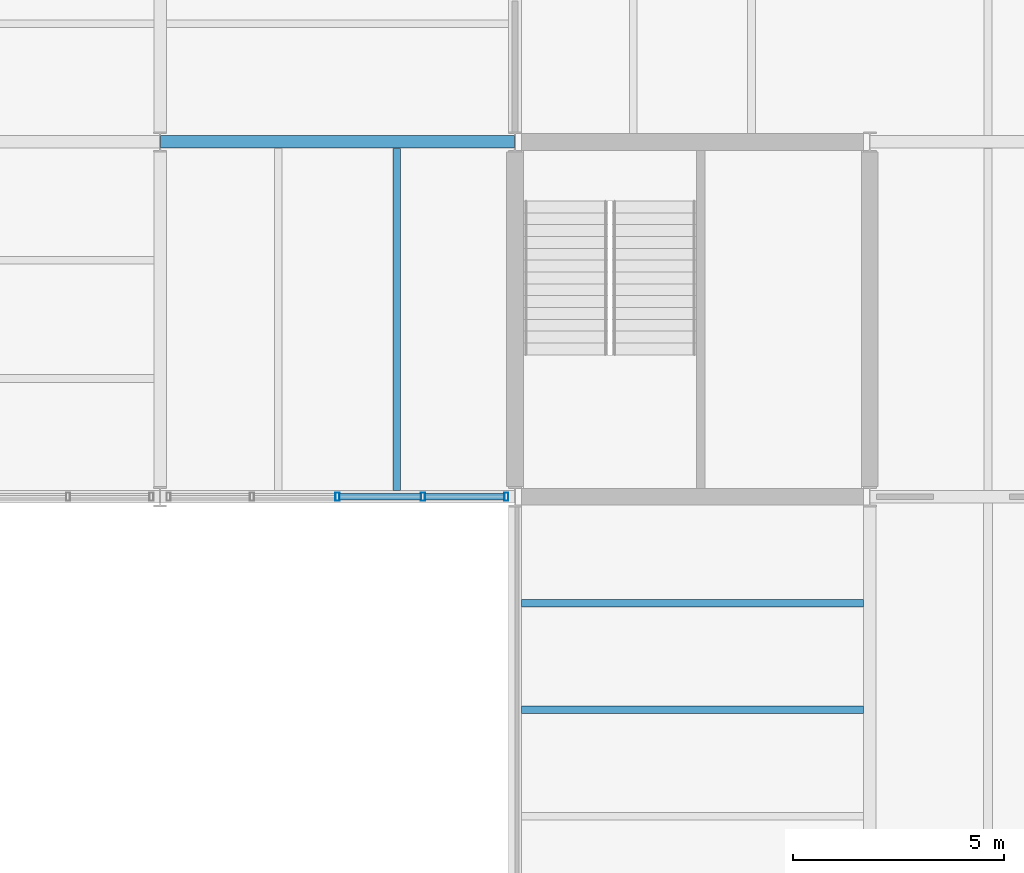
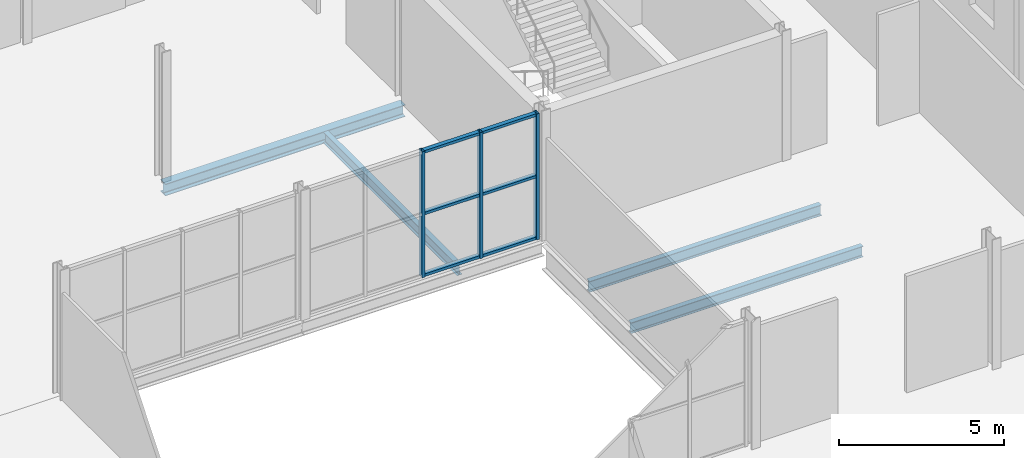
# One storey, part 24 of 57: 9 members, 4 beams, 1 element without a shape of its own.
"""IFC4 building model written with IfcOpenShell, lengths in metres."""

from ifc_helpers import new_model, si_unit, direction, frame, origin, origin_2d, place, context, subcontext, project, spatial, hollow_rectangle, i_section, extrude, material, layer, layer_set, material_profile, profile_set, type_object, element, aggregate, save


model = new_model("IFC4")

# Units and contexts
model_context = context("Model", 3, precision=1e-05, world=origin(), true_north=direction((0.0, 1.0)))
body_context = subcontext(model_context, "Body", "Model", "MODEL_VIEW")
ifc_project = project(units=[si_unit("LENGTHUNIT", "METRE"), si_unit("AREAUNIT", "SQUARE_METRE"), si_unit("VOLUMEUNIT", "CUBIC_METRE"), si_unit("PLANEANGLEUNIT", "RADIAN"), si_unit("MASSUNIT", "GRAM", prefix="KILO")], contexts=[model_context])

# Site, building, storey
site_placement = place(None, origin())
site = spatial("IfcSite", under=ifc_project, at=site_placement, CompositionType="ELEMENT")
building_placement = place(site_placement, origin())
building = spatial("IfcBuilding", under=site, at=building_placement, Name="Galleria Vessillo Department Store", CompositionType="ELEMENT")
storey_placement = place(building_placement, frame((0.0, 0.0, 21.0)))
storey = spatial("IfcBuildingStorey", under=building, at=storey_placement, Name="L04", CompositionType="ELEMENT", Elevation=21.0)

# Beams
ifc_material_1 = material(Name="Steel S355 J2", Category="steel")
ifc_material_profile_1 = material_profile(ifc_material_1, i_section(OverallWidth=0.300048828125, OverallDepth=0.43994140625, WebThickness=0.011474609375, FlangeThickness=0.02099609375, FilletRadius=0.027099609375, at=origin_2d()), Name="HEA 450")
ifc_profile_set_1 = profile_set([ifc_material_profile_1], Name="Steel S355 J2")
beam_type_1 = type_object("IfcBeamType", Name="Floor girder HEA 450", PredefinedType="BEAM", material=ifc_profile_set_1)
beam_placement = place(storey_placement, frame((92.41064453125, 46.199951171875, -0.369873046875), z_axis=(1.0, 0.0, 0.0), x_axis=(0.0, 1.0, 0.0)))
element("IfcBeam", 1, at=beam_placement, inside=storey, type_object=beam_type_1, Name="S-BM-L04-GI-x46200-92411", PredefinedType="BEAM", context=body_context, shape_type="SweptSolid", body=[
    extrude(i_section(OverallWidth=0.300048828125, OverallDepth=0.43994140625, WebThickness=0.011474609375, FlangeThickness=0.02099609375, FilletRadius=0.027099609375, at=origin_2d()), origin(), (0.0, 0.0, 1.0), 8.378662109375),
])
ifc_material_2 = material(Name="Steel S355 J2", Category="steel")
ifc_material_profile_2 = material_profile(ifc_material_2, i_section(OverallWidth=0.179931640625, OverallDepth=0.39990234375, WebThickness=0.008544921875, FlangeThickness=0.013427734375, FilletRadius=0.02099609375, at=origin_2d()), Name="IPE 400")
ifc_profile_set_2 = profile_set([ifc_material_profile_2], Name="Steel S355 J2")
beam_type_2 = type_object("IfcBeamType", Name="Floor joist IPE 400", PredefinedType="JOIST", material=ifc_profile_set_2)
for number, where, z_axis, x_axis, name in (
    (2, (98.0, 37.9501953125, -0.349853515625), (0.0, 1.0, 0.0), (-1.0, 0.0, 0.0), "S-BM-L04-JO-y98000-37950"),
    (3, (100.9501953125, 32.760009765625, -0.349853515625), (1.0, 0.0, 0.0), (0.0, 1.0, 0.0), "S-BM-L04-JO-x32760-100950"),
    (4, (100.9501953125, 35.280029296875, -0.349853515625), (1.0, 0.0, 0.0), (0.0, 1.0, 0.0), "S-BM-L04-JO-x35280-100950"),
):
    element("IfcBeam", number, at=place(storey_placement, frame(where, z_axis=z_axis, x_axis=x_axis)), inside=storey, type_object=beam_type_2, Name=name, PredefinedType="JOIST", context=body_context, shape_type="SweptSolid", body=[
        extrude(i_section(OverallWidth=0.179931640625, OverallDepth=0.39990234375, WebThickness=0.008544921875, FlangeThickness=0.013427734375, FilletRadius=0.02099609375, at=origin_2d()), origin(), (0.0, 0.0, 1.0), 8.099609375),
    ])

# Curtain wall, members
ifc_material_3 = material(Name="Steel and fire-resisting glass curtain wall", Category="steel")
ifc_layer = layer(ifc_material_3, 0.199951171875)
ifc_layer_set = layer_set([ifc_layer], Name="Steel and fire-resisting glass curtain wall")
curtain_wall_type = type_object("IfcCurtainWallType", Name="Arcade fire-resisting glazed shopfront EI 120-Sa", PredefinedType="NOTDEFINED", material=ifc_layer_set)
curtain_wall_placement = place(storey_placement, origin())
curtain_wall = element("IfcCurtainWall", 5, at=curtain_wall_placement, inside=storey, type_object=curtain_wall_type, Name="Arcade fire-resisting glazed shopfront EI 120-Sa AI-AE-N-L04-02", PredefinedType="NOTDEFINED")
ifc_material_4 = material(Name="Steel S355 J2", Category="steel")
ifc_material_profile_3 = material_profile(ifc_material_4, hollow_rectangle(XDim=0.199951171875, YDim=0.10009765625, WallThickness=0.008056640625, at=origin_2d()), Name="RHS 200x100x8")
ifc_profile_set_3 = profile_set([ifc_material_profile_3], Name="Steel S355 J2")
member_type_1 = type_object("IfcMemberType", Name="Steel mullion RHS 200x100x8", PredefinedType="MULLION", material=ifc_profile_set_3)
member_1_placement = place(storey_placement, frame((96.60009765625, 37.800048828125, 0.0), z_axis=(0.0, 0.0, 1.0), x_axis=(0.0, 1.0, 0.0)))
member_1 = element("IfcMember", 6, at=member_1_placement, type_object=member_type_1, Name="CW7 mullion 3", PredefinedType="MULLION", context=body_context, shape_type="SweptSolid", body=[
    extrude(hollow_rectangle(XDim=0.199951171875, YDim=0.10009765625, WallThickness=0.008056640625, at=origin_2d()), origin(), (0.0, 0.0, 1.0), 4.650146484375),
])
member_2_placement = place(storey_placement, frame((98.623291015625, 37.800048828125, 0.0), z_axis=(0.0, 0.0, 1.0), x_axis=(0.0, 1.0, 0.0)))
member_2 = element("IfcMember", 7, at=member_2_placement, type_object=member_type_1, Name="CW7 mullion 4", PredefinedType="MULLION", context=body_context, shape_type="SweptSolid", body=[
    extrude(hollow_rectangle(XDim=0.199951171875, YDim=0.10009765625, WallThickness=0.008056640625, at=origin_2d()), origin(), (0.0, 0.0, 1.0), 4.650146484375),
])
member_3_placement = place(storey_placement, frame((100.596435546875, 37.800048828125, 0.0), z_axis=(0.0, 0.0, 1.0), x_axis=(0.0, 1.0, 0.0)))
member_3 = element("IfcMember", 8, at=member_3_placement, type_object=member_type_1, Name="CW7 mullion 5", PredefinedType="MULLION", context=body_context, shape_type="SweptSolid", body=[
    extrude(hollow_rectangle(XDim=0.199951171875, YDim=0.10009765625, WallThickness=0.008056640625, at=origin_2d()), origin(), (0.0, 0.0, 1.0), 4.650146484375),
])
ifc_material_5 = material(Name="Steel S355 J2", Category="steel")
ifc_material_profile_4 = material_profile(ifc_material_5, hollow_rectangle(XDim=0.14990234375, YDim=0.10009765625, WallThickness=0.008056640625, at=origin_2d()), Name="RHS 150x100x8")
ifc_profile_set_4 = profile_set([ifc_material_profile_4], Name="Steel S355 J2")
member_type_2 = type_object("IfcMemberType", Name="Steel transom RHS 150x100x8", PredefinedType="USERDEFINED", material=ifc_profile_set_4)
member_4_placement = place(storey_placement, frame((96.64990234375, 37.800048828125, 0.050048828125), z_axis=(1.0, 0.0, 0.0), x_axis=(0.0, 1.0, 0.0)))
member_4 = element("IfcMember", 9, at=member_4_placement, type_object=member_type_2, Name="CW7 transom 3.1", ObjectType="TRANSOM", PredefinedType="USERDEFINED", context=body_context, shape_type="SweptSolid", body=[
    extrude(hollow_rectangle(XDim=0.14990234375, YDim=0.10009765625, WallThickness=0.008056640625, at=origin_2d()), origin(), (0.0, 0.0, 1.0), 1.92333984375),
])
member_5_placement = place(storey_placement, frame((96.64990234375, 37.800048828125, 2.3251953125), z_axis=(1.0, 0.0, 0.0), x_axis=(0.0, 1.0, 0.0)))
member_5 = element("IfcMember", 10, at=member_5_placement, type_object=member_type_2, Name="CW7 transom 3.2", ObjectType="TRANSOM", PredefinedType="USERDEFINED", context=body_context, shape_type="SweptSolid", body=[
    extrude(hollow_rectangle(XDim=0.14990234375, YDim=0.10009765625, WallThickness=0.008056640625, at=origin_2d()), origin(), (0.0, 0.0, 1.0), 1.92333984375),
])
member_6_placement = place(storey_placement, frame((96.64990234375, 37.800048828125, 4.60009765625), z_axis=(1.0, 0.0, 0.0), x_axis=(0.0, 1.0, 0.0)))
member_6 = element("IfcMember", 11, at=member_6_placement, type_object=member_type_2, Name="CW7 transom 3.3", ObjectType="TRANSOM", PredefinedType="USERDEFINED", context=body_context, shape_type="SweptSolid", body=[
    extrude(hollow_rectangle(XDim=0.14990234375, YDim=0.10009765625, WallThickness=0.008056640625, at=origin_2d()), origin(), (0.0, 0.0, 1.0), 1.92333984375),
])
member_7_placement = place(storey_placement, frame((98.67333984375, 37.800048828125, 0.050048828125), z_axis=(1.0, 0.0, 0.0), x_axis=(0.0, 1.0, 0.0)))
member_7 = element("IfcMember", 12, at=member_7_placement, type_object=member_type_2, Name="CW7 transom 4.1", ObjectType="TRANSOM", PredefinedType="USERDEFINED", context=body_context, shape_type="SweptSolid", body=[
    extrude(hollow_rectangle(XDim=0.14990234375, YDim=0.10009765625, WallThickness=0.008056640625, at=origin_2d()), origin(), (0.0, 0.0, 1.0), 1.873046875),
])
member_8_placement = place(storey_placement, frame((98.67333984375, 37.800048828125, 2.3251953125), z_axis=(1.0, 0.0, 0.0), x_axis=(0.0, 1.0, 0.0)))
member_8 = element("IfcMember", 13, at=member_8_placement, type_object=member_type_2, Name="CW7 transom 4.2", ObjectType="TRANSOM", PredefinedType="USERDEFINED", context=body_context, shape_type="SweptSolid", body=[
    extrude(hollow_rectangle(XDim=0.14990234375, YDim=0.10009765625, WallThickness=0.008056640625, at=origin_2d()), origin(), (0.0, 0.0, 1.0), 1.873046875),
])
member_9_placement = place(storey_placement, frame((98.67333984375, 37.800048828125, 4.60009765625), z_axis=(1.0, 0.0, 0.0), x_axis=(0.0, 1.0, 0.0)))
member_9 = element("IfcMember", 14, at=member_9_placement, type_object=member_type_2, Name="CW7 transom 4.3", ObjectType="TRANSOM", PredefinedType="USERDEFINED", context=body_context, shape_type="SweptSolid", body=[
    extrude(hollow_rectangle(XDim=0.14990234375, YDim=0.10009765625, WallThickness=0.008056640625, at=origin_2d()), origin(), (0.0, 0.0, 1.0), 1.873046875),
])
aggregate(curtain_wall, [member_1, member_2, member_3, member_4, member_5, member_6, member_7, member_8, member_9])

save(model, "model.ifc")
